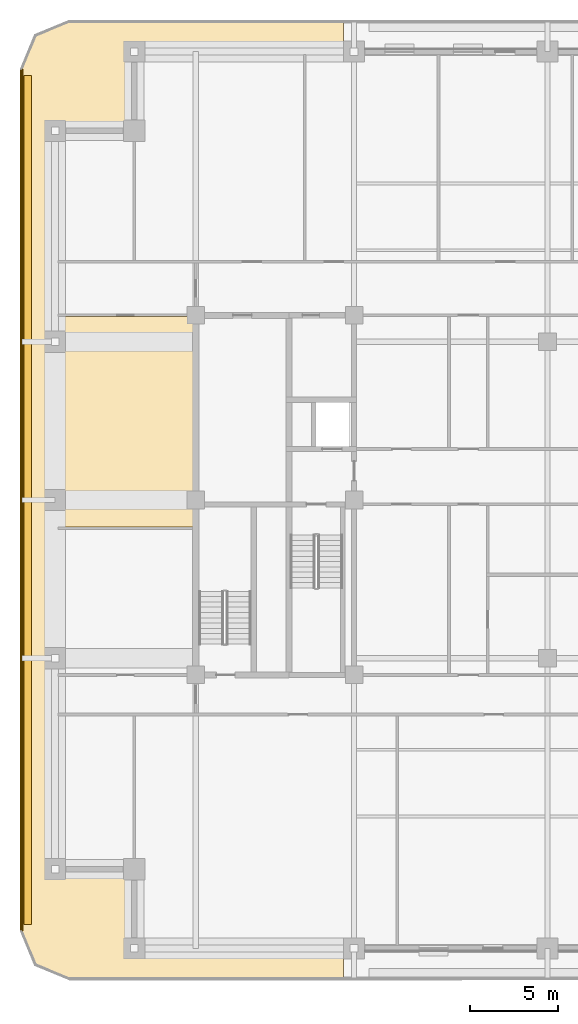
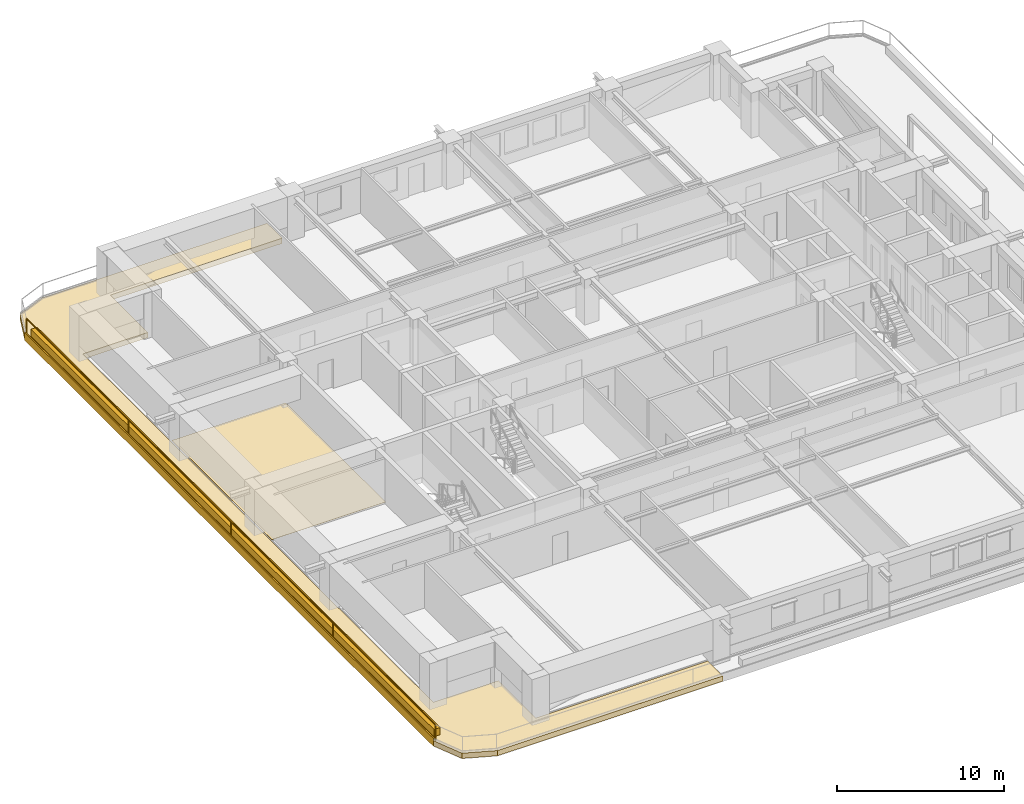
# One storey, part 12 of 17: 4 coverings, 1 railing.
"""IFC4 building model written with IfcOpenShell, lengths in metres."""

from ifc_helpers import new_model, si_unit, direction, frame, frame_2d, origin, origin_2d, place, context, subcontext, project, spatial, polyline, rectangle, outline, extrude, material, layer, layer_set, type_object, element, save


model = new_model("IFC4")

# Units and contexts
model_context = context("Model", 3, precision=1e-05, world=origin(), true_north=direction((0.0, 1.0)))
body_context = subcontext(model_context, "Body", "Model", "MODEL_VIEW")
ifc_project = project(units=[si_unit("LENGTHUNIT", "METRE"), si_unit("AREAUNIT", "SQUARE_METRE"), si_unit("VOLUMEUNIT", "CUBIC_METRE"), si_unit("PLANEANGLEUNIT", "RADIAN"), si_unit("MASSUNIT", "GRAM", prefix="KILO")], contexts=[model_context])

# Site, building, storey
site_placement = place(None, origin())
site = spatial("IfcSite", under=ifc_project, at=site_placement, CompositionType="ELEMENT")
building_placement = place(site_placement, origin())
building = spatial("IfcBuilding", under=site, at=building_placement, Name="Zulmaris Gate Convention Tower", CompositionType="ELEMENT")
storey_placement = place(building_placement, frame((0.0, 0.0, 121.349853515625)))
storey = spatial("IfcBuildingStorey", under=building, at=storey_placement, Name="L30", CompositionType="ELEMENT", Elevation=121.349853515625)

# Coverings
ifc_material_1 = material(Name="White Glazed Architectural Precast Concrete C40/50", Category="concrete")
ifc_layer_1 = layer(ifc_material_1, 0.239990234375, Name="White Glazed Architectural Precast Concrete C40/50")
ifc_layer_set_1 = layer_set([ifc_layer_1], Name="White Glazed Architectural Precast Concrete C40/50")
covering_type_1 = type_object("IfcCoveringType", Name="CLAD-TRAY-DECK", PredefinedType="CLADDING", material=ifc_layer_set_1)
covering_1_placement = place(storey_placement, frame((0.0, 0.0, -0.425048828125)))
element("IfcCovering", 1, at=covering_1_placement, inside=storey, type_object=covering_type_1, Name="L30 West Rounded-Fascia Planter Tray Deck", PredefinedType="CLADDING", context=body_context, shape_type="SweptSolid", body=[
    extrude(outline(polyline([(-30.0, 24.5), (-29.179931640625, 26.47998046875), (-27.199951171875, 27.300048828125), (-11.60205078125, 27.300048828125), (-11.60205078125, 25.5), (-23.5, 25.5), (-23.5, 21.0), (-28.0, 21.0), (-28.0, -21.0), (-23.5, -21.0), (-23.5, -25.5), (-11.60205078125, -25.5), (-11.60205078125, -27.300048828125), (-27.199951171875, -27.300048828125), (-29.179931640625, -26.47998046875), (-30.0, -24.5), (-30.0, 24.5)])), origin(), (0.0, 0.0, 1.0), 0.385009765625),
])
ifc_layer_2 = layer(ifc_material_1, 0.080078125, Name="White Glazed Architectural Precast Concrete C40/50")
ifc_layer_set_2 = layer_set([ifc_layer_2], Name="White Glazed Architectural Precast Concrete C40/50")
covering_type_2 = type_object("IfcCoveringType", Name="CLAD-TRAY-FASCIA", PredefinedType="CLADDING", material=ifc_layer_set_2)
covering_2_placement = place(storey_placement, frame((-29.9599609375, 24.5, -0.46484375), z_axis=(0.0, 0.0, 1.0), x_axis=(0.0, -1.0, 0.0)))
element("IfcCovering", 2, at=covering_2_placement, inside=storey, type_object=covering_type_2, Name="FSC-L30-TR-11", PredefinedType="CLADDING", context=body_context, shape_type="SweptSolid", body=[
    extrude(rectangle(XDim=49.0, YDim=0.080078125, at=frame_2d((24.5, 0.0))), origin(), (0.0, 0.0, 1.0), 0.5849609375),
])
ifc_material_2 = material(Name="Woven Acoustic Wool Carpet Tile")
ifc_layer_3 = layer(ifc_material_2, 0.02001953125, Name="Woven Acoustic Wool Carpet Tile")
ifc_layer_set_3 = layer_set([ifc_layer_3], Name="Woven Acoustic Wool Carpet Tile")
covering_type_3 = type_object("IfcCoveringType", Name="FLR-CARPET-12", PredefinedType="FLOORING", material=ifc_layer_set_3)
covering_3_placement = place(storey_placement, origin())
element("IfcCovering", 3, at=covering_3_placement, inside=storey, type_object=covering_type_3, Name="FLR-L30-R48", PredefinedType="FLOORING", context=body_context, shape_type="SweptSolid", body=[
    extrude(outline(polyline([(-27.93994140625, -1.5400390625), (-20.06005859375, -1.5400390625), (-20.06005859375, 10.43994140625), (-27.93994140625, 10.43994140625), (-27.93994140625, -1.5400390625)])), origin(), (0.0, 0.0, 1.0), 0.02001953125),
])
ifc_material_3 = material(Name="Botanical Green Glazed Precast Concrete C40/50", Category="concrete")
ifc_layer_4 = layer(ifc_material_3, 0.419921875, Name="Botanical Green Glazed Precast Concrete C40/50")
ifc_layer_set_4 = layer_set([ifc_layer_4], Name="Botanical Green Glazed Precast Concrete C40/50")
covering_type_4 = type_object("IfcCoveringType", Name="PLANTER-BOX-200", PredefinedType="CLADDING", material=ifc_layer_set_4)
covering_4_placement = place(storey_placement, frame((0.0, 0.0, -0.0400390625)))
element("IfcCovering", 4, at=covering_4_placement, inside=storey, type_object=covering_type_4, Name="L30 W Full-Length Balcony Tree Planter Trough", PredefinedType="CLADDING", context=body_context, shape_type="SweptSolid", body=[
    extrude(outline(polyline([(-29.760009765625, -24.14990234375), (-29.340087890625, -24.14990234375), (-29.340087890625, 24.14990234375), (-29.760009765625, 24.14990234375), (-29.760009765625, -24.14990234375)])), origin(), (0.0, 0.0, 1.0), 0.52001953125),
])

# Railing
ifc_material_4 = material(Name="Laminated Glass and Stainless Steel", Category="steel")
railing_type = type_object("IfcRailingType", Name="RL-BALC-1150", PredefinedType="BALUSTRADE", material=ifc_material_4)
railing_placement = place(storey_placement, frame((-29.8798828125, 24.5, -0.0400390625)))
element("IfcRailing", 5, at=railing_placement, inside=storey, type_object=railing_type, Name="RL-L30-BALC-W", PredefinedType="BALUSTRADE", context=body_context, shape_type="SweptSolid", body=[
    extrude(rectangle(XDim=0.048095703125, YDim=0.048095703125, at=origin_2d()), frame((0.0, 0.0, 1.1259765625), z_axis=(0.0, -1.0, 0.0), x_axis=(1.0, 0.0, 0.0)), (0.0, 0.0, 1.0), 49.0),
    extrude(rectangle(XDim=0.048095703125, YDim=0.048095703125, at=origin_2d()), frame((0.0, 0.0, 0.02392578125), z_axis=(0.0, -1.0, 0.0), x_axis=(1.0, 0.0, 0.0)), (0.0, 0.0, 1.0), 49.0),
    extrude(rectangle(XDim=0.0419921875, YDim=0.0419921875, at=origin_2d()), origin(), (0.0, 0.0, 1.0), 1.101806640625),
    extrude(rectangle(XDim=0.0419921875, YDim=0.0419921875, at=origin_2d()), frame((0.0, -12.25, 0.0)), (0.0, 0.0, 1.0), 1.101806640625),
    extrude(rectangle(XDim=0.0419921875, YDim=0.0419921875, at=origin_2d()), frame((0.0, -24.5, 0.0)), (0.0, 0.0, 1.0), 1.101806640625),
    extrude(rectangle(XDim=0.0419921875, YDim=0.0419921875, at=origin_2d()), frame((0.0, -36.75, 0.0)), (0.0, 0.0, 1.0), 1.101806640625),
    extrude(rectangle(XDim=0.0419921875, YDim=0.0419921875, at=origin_2d()), frame((0.0, -49.0, 0.0)), (0.0, 0.0, 1.0), 1.101806640625),
])

save(model, "model.ifc")
